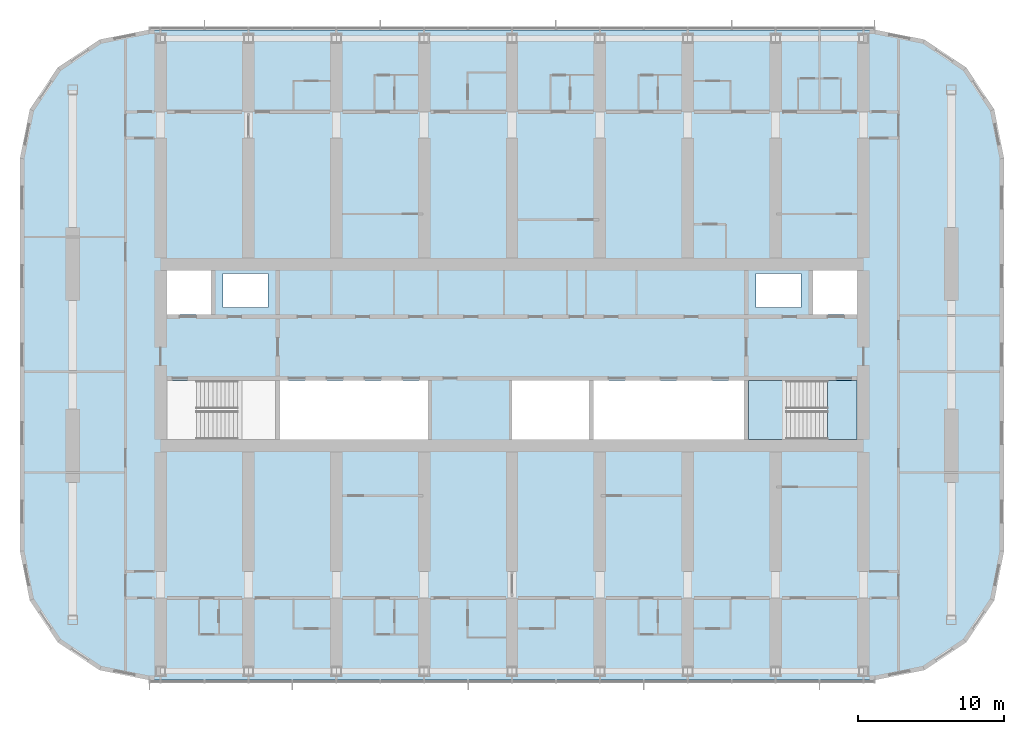
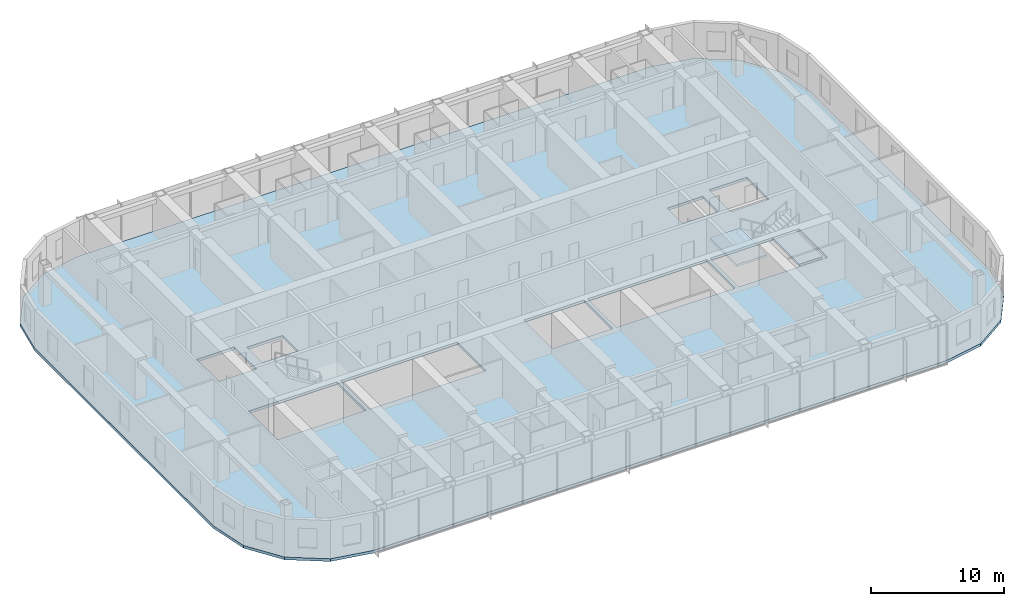
# One storey, part 8 of 22: 3 slabs, 1 element without a shape of its own.
"""IFC4 building model written with IfcOpenShell, lengths in metres."""

from ifc_helpers import new_model, si_unit, direction, frame, origin, place, context, subcontext, project, spatial, polyline, outline, extrude, material, layer, layer_set, type_object, element, aggregate, save


model = new_model("IFC4")

# Units and contexts
model_context = context("Model", 3, precision=1e-05, world=origin(), true_north=direction((0.0, 1.0)))
body_context = subcontext(model_context, "Body", "Model", "MODEL_VIEW")
ifc_project = project(units=[si_unit("LENGTHUNIT", "METRE"), si_unit("AREAUNIT", "SQUARE_METRE"), si_unit("VOLUMEUNIT", "CUBIC_METRE"), si_unit("PLANEANGLEUNIT", "RADIAN"), si_unit("MASSUNIT", "GRAM", prefix="KILO")], contexts=[model_context])

# Site, building, storey
site_placement = place(None, origin())
site = spatial("IfcSite", under=ifc_project, at=site_placement, CompositionType="ELEMENT")
building_placement = place(site_placement, origin())
building = spatial("IfcBuilding", under=site, at=building_placement, Name="Orbita Commons", CompositionType="ELEMENT")
storey_placement = place(building_placement, frame((0.0, 0.0, 156.10009765625)))
storey = spatial("IfcBuildingStorey", under=building, at=storey_placement, Name="L38", CompositionType="ELEMENT", Elevation=156.10009765625)

# Slab
ifc_material_1 = material(Name="Concrete C40/50", Category="concrete")
ifc_layer_1 = layer(ifc_material_1, 0.25)
ifc_layer_set_1 = layer_set([ifc_layer_1], Name="Concrete C40/50")
slab_type_1 = type_object("IfcSlabType", Name="Floor slab 250", PredefinedType="FLOOR", material=ifc_layer_set_1)
slab_1_placement = place(storey_placement, frame((0.0, 0.0, -0.25)))
element("IfcSlab", 1, at=slab_1_placement, inside=storey, type_object=slab_type_1, Name="Floor slab L38", PredefinedType="FLOOR", context=body_context, shape_type="SweptSolid", body=[
    extrude(outline(polyline([(66.800048828125, 9.800048828125), (70.167724609375, 10.469970703125), (73.0224609375, 12.37744140625), (74.93017578125, 15.232421875), (75.60009765625, 18.60009765625), (75.60009765625, 45.39990234375), (74.93017578125, 48.767578125), (73.0224609375, 51.62255859375), (70.167724609375, 53.530029296875), (66.800048828125, 54.199951171875), (17.199951171875, 54.199951171875), (13.832275390625, 53.530029296875), (10.9775390625, 51.62255859375), (9.06982421875, 48.767578125), (8.39990234375, 45.39990234375), (8.39990234375, 18.60009765625), (9.06982421875, 15.232421875), (10.9775390625, 12.37744140625), (13.832275390625, 10.469970703125), (17.199951171875, 9.800048828125), (66.800048828125, 9.800048828125)]), holes=[polyline([(18.14990234375, 25.949951171875), (25.85009765625, 25.949951171875), (25.85009765625, 30.25), (18.14990234375, 30.25), (18.14990234375, 25.949951171875)]), polyline([(58.14990234375, 25.949951171875), (65.85009765625, 25.949951171875), (65.85009765625, 30.25), (58.14990234375, 30.25), (58.14990234375, 25.949951171875)]), polyline([(18.14990234375, 34.75), (21.449951171875, 34.75), (21.449951171875, 38.050048828125), (18.14990234375, 38.050048828125), (18.14990234375, 34.75)]), polyline([(62.550048828125, 34.75), (65.85009765625, 34.75), (65.85009765625, 38.050048828125), (62.550048828125, 38.050048828125), (62.550048828125, 34.75)]), polyline([(22.25, 35.25), (25.35009765625, 35.25), (25.35009765625, 37.550048828125), (22.25, 37.550048828125), (22.25, 35.25)]), polyline([(58.64990234375, 35.25), (61.75, 35.25), (61.75, 37.550048828125), (58.64990234375, 37.550048828125), (58.64990234375, 35.25)]), polyline([(26.14990234375, 25.949951171875), (36.25, 25.949951171875), (36.25, 30.25), (26.14990234375, 30.25), (26.14990234375, 25.949951171875)]), polyline([(42.0, 25.949951171875), (47.25, 25.949951171875), (47.25, 30.25), (42.0, 30.25), (42.0, 25.949951171875)]), polyline([(47.550048828125, 25.949951171875), (57.85009765625, 25.949951171875), (57.85009765625, 30.25), (47.550048828125, 30.25), (47.550048828125, 25.949951171875)])]), origin(), (0.0, 0.0, 1.0), 0.25),
])

# Stair, slabs
ifc_material_2 = material(Name="Precast concrete C40/50", Category="concrete")
stair_type = type_object("IfcStairType", Name="Exit stair S2 2 flights 11 risers 170", PredefinedType="HALF_TURN_STAIR", material=ifc_material_2)
stair_placement = place(storey_placement, origin())
stair = element("IfcStair", 2, at=stair_placement, inside=storey, type_object=stair_type, Name="Exit stair S2 L38", PredefinedType="HALF_TURN_STAIR")
ifc_material_3 = material(Name="Concrete C40/50", Category="concrete")
ifc_layer_2 = layer(ifc_material_3, 0.199951171875)
ifc_layer_set_2 = layer_set([ifc_layer_2], Name="Concrete C40/50")
slab_type_2 = type_object("IfcSlabType", Name="Stair landing 200", PredefinedType="LANDING", material=ifc_layer_set_2)
slab_2_placement = place(storey_placement, frame((0.0, 0.0, -0.2001953125)))
slab_2 = element("IfcSlab", 3, at=slab_2_placement, type_object=slab_type_2, Name="S2 landing 1", PredefinedType="LANDING", context=body_context, shape_type="SweptSolid", body=[
    extrude(outline(polyline([(63.550048828125, 26.22509765625), (65.574951171875, 26.22509765625), (65.574951171875, 30.25), (63.550048828125, 30.25), (63.550048828125, 26.22509765625)])), origin(), (0.0, 0.0, 1.0), 0.2001953125),
])
slab_3_placement = place(storey_placement, frame((0.0, 0.0, 1.6748046875)))
slab_3 = element("IfcSlab", 4, at=slab_3_placement, type_object=slab_type_2, Name="S2 landing 2", PredefinedType="LANDING", context=body_context, shape_type="SweptSolid", body=[
    extrude(outline(polyline([(58.135009765625, 26.2099609375), (60.75, 26.2099609375), (60.75, 30.264892578125), (58.135009765625, 30.264892578125), (58.135009765625, 26.2099609375)])), origin(), (0.0, 0.0, 1.0), 0.2001953125),
])
aggregate(stair, [slab_2, slab_3])

save(model, "model.ifc")
